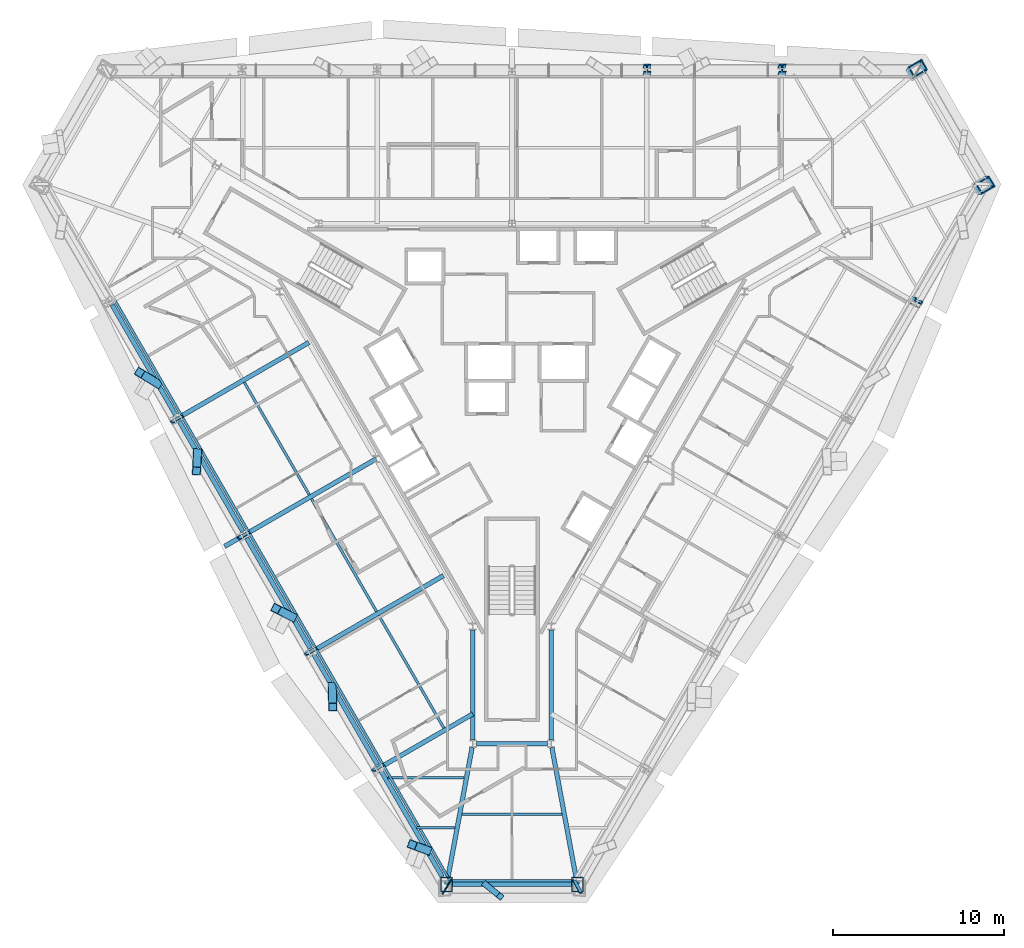
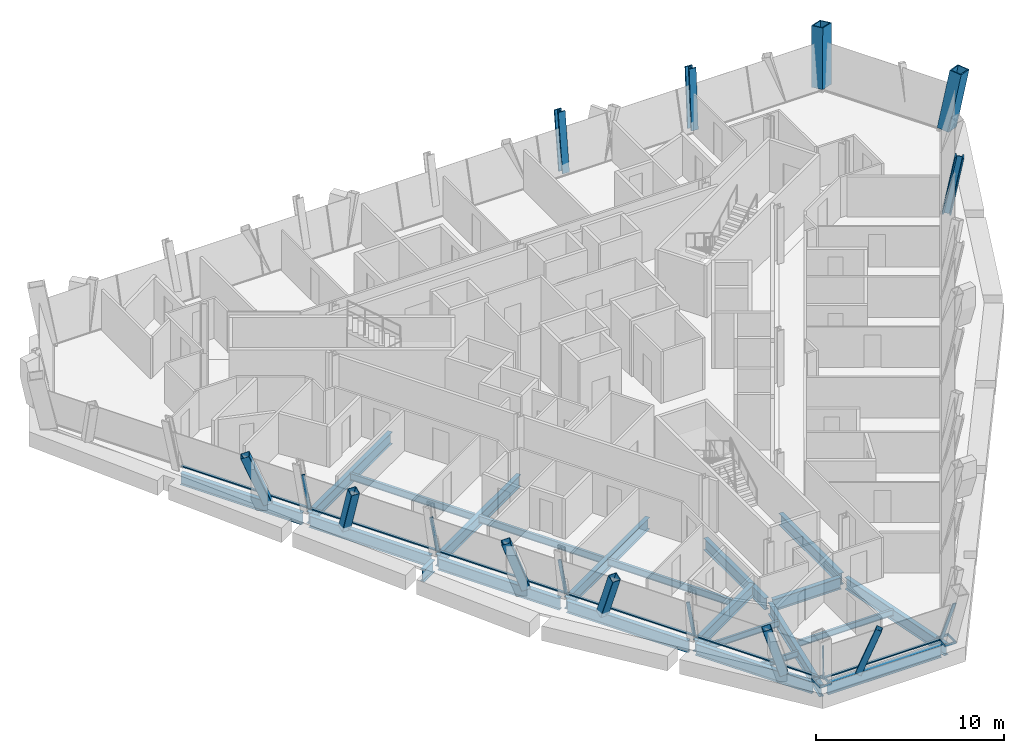
# One storey, part 2 of 13: 22 beams, 20 members, 5 columns, 3 elements without a shape of their own.
"""IFC4 building model written with IfcOpenShell, lengths in metres."""

from ifc_helpers import new_model, si_unit, direction, frame, origin, origin_2d, place, context, subcontext, project, spatial, rectangle, hollow_rectangle, i_section, extrude, material, material_profile, profile_set, type_object, element, aggregate, save


model = new_model("IFC4")

# Units and contexts
model_context = context("Model", 3, precision=1e-05, world=origin(), true_north=direction((0.0, 1.0)))
body_context = subcontext(model_context, "Body", "Model", "MODEL_VIEW")
ifc_project = project(units=[si_unit("LENGTHUNIT", "METRE"), si_unit("AREAUNIT", "SQUARE_METRE"), si_unit("VOLUMEUNIT", "CUBIC_METRE"), si_unit("PLANEANGLEUNIT", "RADIAN"), si_unit("MASSUNIT", "GRAM", prefix="KILO")], contexts=[model_context])

# Site, building, storey
site_placement = place(None, origin())
site = spatial("IfcSite", under=ifc_project, at=site_placement, CompositionType="ELEMENT")
building_placement = place(site_placement, origin())
building = spatial("IfcBuilding", under=site, at=building_placement, Name="Verrane Prism Tower", CompositionType="ELEMENT")
storey_placement = place(building_placement, frame((0.0, 0.0, 100.0)))
storey = spatial("IfcBuildingStorey", under=building, at=storey_placement, Name="L23", CompositionType="ELEMENT", Elevation=100.0)

# Columns
ifc_material_1 = material(Name="Steel A572 Grade 50", Category="steel")
ifc_material_profile_1 = material_profile(ifc_material_1, hollow_rectangle(XDim=0.699951171875, YDim=0.89990234375, WallThickness=0.06494140625, at=origin_2d()), Name="BOX 900x700x65")
ifc_profile_set_1 = profile_set([ifc_material_profile_1], Name="Steel A572 Grade 50")
column_type_1 = type_object("IfcColumnType", Name="Megacolumn BOX 900x700x65", PredefinedType="COLUMN", material=ifc_profile_set_1)
column_1_placement = place(storey_placement, frame((23.66845703125, 18.1044921875, 0.074951171875), z_axis=(0.111145878735, 0.189707375629, 0.975529448696), x_axis=(0.496818547965, -0.860754575623, 0.110783080574)))
element("IfcColumn", 1, at=column_1_placement, inside=storey, type_object=column_type_1, Name="Megacolumn MC-NE.b L23", PredefinedType="COLUMN", context=body_context, shape_type="SweptSolid", body=[
    extrude(hollow_rectangle(XDim=0.699951171875, YDim=0.89990234375, WallThickness=0.06494140625, at=origin_2d()), origin(), (0.0, 0.0, 1.0), 3.536376953125),
])
column_2_placement = place(storey_placement, frame((27.516845703125, 11.449951171875, 0.074951171875), z_axis=(0.21954669437, 0.0, 0.975601993126), x_axis=(0.496862162048, -0.860596286786, -0.111812446063)))
element("IfcColumn", 2, at=column_2_placement, inside=storey, type_object=column_type_1, Name="Megacolumn MC-NE.a L23", PredefinedType="COLUMN", context=body_context, shape_type="SweptSolid", body=[
    extrude(hollow_rectangle(XDim=0.699951171875, YDim=0.89990234375, WallThickness=0.06494140625, at=origin_2d()), origin(), (0.0, 0.0, 1.0), 3.5361328125),
])
ifc_material_2 = material(Name="Steel A992", Category="steel")
ifc_material_profile_2 = material_profile(ifc_material_2, i_section(OverallWidth=0.424072265625, OverallDepth=0.47509765625, WebThickness=0.0478515625, FlangeThickness=0.0771484375, FilletRadius=0.014892578125, at=origin_2d()), Name="W14x426")
ifc_profile_set_2 = profile_set([ifc_material_profile_2], Name="Steel A992")
column_type_2 = type_object("IfcColumnType", Name="Perimeter column W14x426", PredefinedType="COLUMN", material=ifc_profile_set_2)
column_3_placement = place(storey_placement, frame((15.783203125, 18.0986328125, 0.044921875), z_axis=(0.070693557191, 0.19042310781, 0.97915344098), x_axis=(0.997401572089, 0.000160176462, -0.072042198318)))
element("IfcColumn", 3, at=column_3_placement, inside=storey, type_object=column_type_2, Name="Perimeter column PC-N1 L23", PredefinedType="COLUMN", context=body_context, shape_type="SweptSolid", body=[
    extrude(i_section(OverallWidth=0.424072265625, OverallDepth=0.47509765625, WebThickness=0.0478515625, FlangeThickness=0.0771484375, FilletRadius=0.014892578125, at=origin_2d()), origin(), (0.0, 0.0, 1.0), 3.584716796875),
])
column_4_placement = place(storey_placement, frame((7.891357421875, 18.097900390625, 0.0400390625), z_axis=(0.035448987622, 0.190716914211, 0.981004805243), x_axis=(0.999348805, -0.000151262894, -0.036082448156)))
element("IfcColumn", 4, at=column_4_placement, inside=storey, type_object=column_type_2, Name="Perimeter column PC-N2 L23", PredefinedType="COLUMN", context=body_context, shape_type="SweptSolid", body=[
    extrude(i_section(OverallWidth=0.424072265625, OverallDepth=0.47509765625, WebThickness=0.0478515625, FlangeThickness=0.0771484375, FilletRadius=0.014892578125, at=origin_2d()), origin(), (0.0, 0.0, 1.0), 3.588134765625),
])
column_5_placement = place(storey_placement, frame((23.559326171875, 4.618408203125, 0.044921875), z_axis=(0.203832262206, -0.03259955045, 0.978462916106), x_axis=(-0.498534021373, -0.86361257453, 0.075080960618)))
element("IfcColumn", 5, at=column_5_placement, inside=storey, type_object=column_type_2, Name="Perimeter column PC-SE5 L23", PredefinedType="COLUMN", context=body_context, shape_type="SweptSolid", body=[
    extrude(i_section(OverallWidth=0.424072265625, OverallDepth=0.47509765625, WebThickness=0.0478515625, FlangeThickness=0.0771484375, FilletRadius=0.014892578125, at=origin_2d()), origin(), (0.0, 0.0, 1.0), 3.587158203125),
])

# Member
ifc_material_3 = material(Name="Steel A500 Grade C", Category="steel")
ifc_material_profile_3 = material_profile(ifc_material_3, hollow_rectangle(XDim=0.355712890625, YDim=0.355712890625, WallThickness=0.0126953125, InnerFilletRadius=0.00634765625, OuterFilletRadius=0.01904296875, at=origin_2d()), Name="HSS14x14x1/2")
ifc_profile_set_3 = profile_set([ifc_material_profile_3], Name="Steel A500 Grade C")
member_type_1 = type_object("IfcMemberType", Name="Chamfer brace HSS14x14x1/2", PredefinedType="BRACE", material=ifc_profile_set_3)
member_1_placement = place(storey_placement, frame((-1.5556640625, -29.5400390625, -0.2451171875), z_axis=(0.269800098525, -0.218569336669, 0.937782145226), x_axis=(0.6294760962, 0.777019848082, 0.0)))
element("IfcMember", 6, at=member_1_placement, inside=storey, type_object=member_type_1, Name="Chamfer brace S0 L23", PredefinedType="BRACE", context=body_context, shape_type="SweptSolid", body=[
    extrude(hollow_rectangle(XDim=0.355712890625, YDim=0.355712890625, WallThickness=0.0126953125, InnerFilletRadius=0.00634765625, OuterFilletRadius=0.01904296875, at=origin_2d()), origin(), (0.0, 0.0, 1.0), 3.202392578125),
])

# Beams
ifc_material_4 = material(Name="Steel A992", Category="steel")
ifc_material_profile_4 = material_profile(ifc_material_4, i_section(OverallWidth=0.2666015625, OverallDepth=0.76708984375, WebThickness=0.014892578125, FlangeThickness=0.023681640625, FilletRadius=0.0166015625, at=origin_2d()), Name="W30x124")
ifc_profile_set_4 = profile_set([ifc_material_profile_4], Name="Steel A992")
beam_type_1 = type_object("IfcBeamType", Name="Chamfer spandrel beam W30x124", PredefinedType="SPANDREL", material=ifc_profile_set_4)
beam_1_placement = place(storey_placement, frame((-3.47998046875, -29.5400390625, -0.54345703125), z_axis=(1.0, 0.0, 0.0), x_axis=(0.0, 1.0, 0.0)))
element("IfcBeam", 7, at=beam_1_placement, inside=storey, type_object=beam_type_1, Name="Chamfer spandrel beam L23", PredefinedType="SPANDREL", context=body_context, shape_type="SweptSolid", body=[
    extrude(i_section(OverallWidth=0.2666015625, OverallDepth=0.76708984375, WebThickness=0.014892578125, FlangeThickness=0.023681640625, FilletRadius=0.0166015625, at=origin_2d()), origin(), (0.0, 0.0, 1.0), 6.9599609375),
])
ifc_material_5 = material(Name="Steel A992", Category="steel")
ifc_material_profile_5 = material_profile(ifc_material_5, i_section(OverallWidth=0.2666015625, OverallDepth=0.7568359375, WebThickness=0.013916015625, FlangeThickness=0.019287109375, FilletRadius=0.0166015625, at=origin_2d()), Name="W30x108")
ifc_profile_set_5 = profile_set([ifc_material_profile_5], Name="Steel A992")
beam_type_2 = type_object("IfcBeamType", Name="Core ring girder W30x108", PredefinedType="BEAM", material=ifc_profile_set_5)
beam_2_placement = place(storey_placement, frame((-2.300048828125, -14.619384765625, -0.62841796875), z_axis=(0.0, -1.0, 0.0), x_axis=(1.0, 0.0, 0.0)))
element("IfcBeam", 8, at=beam_2_placement, inside=storey, type_object=beam_type_2, Name="Core ring girder L23", PredefinedType="BEAM", context=body_context, shape_type="SweptSolid", body=[
    extrude(i_section(OverallWidth=0.2666015625, OverallDepth=0.7568359375, WebThickness=0.013916015625, FlangeThickness=0.019287109375, FilletRadius=0.0166015625, at=origin_2d()), origin(), (0.0, 0.0, 1.0), 6.46337890625),
])
beam_3_placement = place(storey_placement, frame((-2.09423828125, -21.300048828125, -0.62841796875), z_axis=(1.0, 0.0, 0.0), x_axis=(0.0, 1.0, 0.0)))
element("IfcBeam", 9, at=beam_3_placement, inside=storey, type_object=beam_type_2, Name="Core ring girder L23", PredefinedType="BEAM", context=body_context, shape_type="SweptSolid", body=[
    extrude(i_section(OverallWidth=0.2666015625, OverallDepth=0.7568359375, WebThickness=0.013916015625, FlangeThickness=0.019287109375, FilletRadius=0.0166015625, at=origin_2d()), origin(), (0.0, 0.0, 1.0), 4.1884765625),
])
beam_4_placement = place(storey_placement, frame((2.300048828125, -21.082763671875, -0.62841796875), z_axis=(0.0, 1.0, 0.0), x_axis=(-1.0, 0.0, 0.0)))
element("IfcBeam", 10, at=beam_4_placement, inside=storey, type_object=beam_type_2, Name="Core ring girder L23", PredefinedType="BEAM", context=body_context, shape_type="SweptSolid", body=[
    extrude(i_section(OverallWidth=0.2666015625, OverallDepth=0.7568359375, WebThickness=0.013916015625, FlangeThickness=0.019287109375, FilletRadius=0.0166015625, at=origin_2d()), origin(), (0.0, 0.0, 1.0), 6.46337890625),
])
ifc_material_6 = material(Name="Steel A992", Category="steel")
ifc_material_profile_6 = material_profile(ifc_material_6, i_section(OverallWidth=0.2666015625, OverallDepth=0.76708984375, WebThickness=0.014892578125, FlangeThickness=0.023681640625, FilletRadius=0.0166015625, at=origin_2d()), Name="W30x124")
ifc_profile_set_6 = profile_set([ifc_material_profile_6], Name="Steel A992")
beam_type_3 = type_object("IfcBeamType", Name="Corner girder W30x124", PredefinedType="BEAM", material=ifc_profile_set_6)
for number, where, z_axis, x_axis, name in (
    (11, (-3.82958984375, -29.53759765625, -0.603515625), (0.182560783817, 0.983194568848, 0.0), (-0.983194568848, 0.182560783817, 0.0), "Corner girder L23"),
    (12, (3.82958984375, -29.53759765625, -0.603515625), (-0.182560783817, 0.983194568848, 0.0), (-0.983194568848, -0.182560783817, 0.0), "Corner girder L23"),
):
    element("IfcBeam", number, at=place(storey_placement, frame(where, z_axis=z_axis, x_axis=x_axis)), inside=storey, type_object=beam_type_3, Name=name, PredefinedType="BEAM", context=body_context, shape_type="SweptSolid", body=[
        extrude(i_section(OverallWidth=0.2666015625, OverallDepth=0.76708984375, WebThickness=0.014892578125, FlangeThickness=0.023681640625, FilletRadius=0.0166015625, at=origin_2d()), origin(), (0.0, 0.0, 1.0), 8.15771484375),
    ])

# Members
ifc_material_7 = material(Name="Steel A1085 Grade A", Category="steel")
ifc_material_profile_7 = material_profile(ifc_material_7, hollow_rectangle(XDim=0.508056640625, YDim=0.508056640625, WallThickness=0.025390625, InnerFilletRadius=0.0126953125, OuterFilletRadius=0.0380859375, at=origin_2d()), Name="HSS20x20x1")
ifc_profile_set_7 = profile_set([ifc_material_profile_7], Name="Steel A1085 Grade A")
member_type_2 = type_object("IfcMemberType", Name="Facade brace HSS20x20x1", PredefinedType="BRACE", material=ifc_profile_set_7)
member_2_placement = place(storey_placement, frame((-20.788330078125, -0.167236328125, -0.24267578125), z_axis=(-0.321078922138, 0.196031088996, 0.926542032455), x_axis=(-0.521094217834, -0.853499160011, 0.0)))
element("IfcMember", 13, at=member_2_placement, inside=storey, type_object=member_type_2, Name="Facade brace SW1 L23", PredefinedType="BRACE", context=body_context, shape_type="SweptSolid", body=[
    extrude(hollow_rectangle(XDim=0.508056640625, YDim=0.508056640625, WallThickness=0.025390625, InnerFilletRadius=0.0126953125, OuterFilletRadius=0.0380859375, at=origin_2d()), origin(), (0.0, 0.0, 1.0), 3.246826171875),
])
member_3_placement = place(storey_placement, frame((-18.4404296875, -4.2373046875, -0.24267578125), z_axis=(-0.017674060204, -0.332976233805, 0.942769566393), x_axis=(0.998594277188, -0.053004429694, 0.0)))
element("IfcMember", 14, at=member_3_placement, inside=storey, type_object=member_type_2, Name="Facade brace SW2 L23", PredefinedType="BRACE", context=body_context, shape_type="SweptSolid", body=[
    extrude(hollow_rectangle(XDim=0.508056640625, YDim=0.508056640625, WallThickness=0.025390625, InnerFilletRadius=0.0126953125, OuterFilletRadius=0.0380859375, at=origin_2d()), origin(), (0.0, 0.0, 1.0), 3.19091796875),
])
member_4_placement = place(storey_placement, frame((-12.892333984375, -13.849853515625, -0.24267578125), z_axis=(-0.296683457736, 0.151211377995, 0.942928441119), x_axis=(-0.454094457087, -0.890953547635, 0.0)))
element("IfcMember", 15, at=member_4_placement, inside=storey, type_object=member_type_2, Name="Facade brace SW3 L23", PredefinedType="BRACE", context=body_context, shape_type="SweptSolid", body=[
    extrude(hollow_rectangle(XDim=0.508056640625, YDim=0.508056640625, WallThickness=0.025390625, InnerFilletRadius=0.0126953125, OuterFilletRadius=0.0380859375, at=origin_2d()), origin(), (0.0, 0.0, 1.0), 3.1904296875),
])
member_5_placement = place(storey_placement, frame((-10.54150390625, -17.9228515625, -0.24267578125), z_axis=(0.010380610033, -0.375206397415, 0.926883165385), x_axis=(0.999617504739, 0.027655817092, 0.0)))
element("IfcMember", 16, at=member_5_placement, inside=storey, type_object=member_type_2, Name="Facade brace SW4 L23", PredefinedType="BRACE", context=body_context, shape_type="SweptSolid", body=[
    extrude(hollow_rectangle(XDim=0.508056640625, YDim=0.508056640625, WallThickness=0.025390625, InnerFilletRadius=0.0126953125, OuterFilletRadius=0.0380859375, at=origin_2d()), origin(), (0.0, 0.0, 1.0), 3.24560546875),
])
member_6_placement = place(storey_placement, frame((-4.9931640625, -27.52880859375, -0.24267578125), z_axis=(-0.272558754511, 0.100947686856, 0.956828767261), x_axis=(-0.347314355824, -0.937748760724, 0.0)))
element("IfcMember", 17, at=member_6_placement, inside=storey, type_object=member_type_2, Name="Facade brace SW5 L23", PredefinedType="BRACE", context=body_context, shape_type="SweptSolid", body=[
    extrude(hollow_rectangle(XDim=0.508056640625, YDim=0.508056640625, WallThickness=0.025390625, InnerFilletRadius=0.0126953125, OuterFilletRadius=0.0380859375, at=origin_2d()), origin(), (0.0, 0.0, 1.0), 3.14404296875),
])

# Beams
ifc_material_8 = material(Name="Steel A992", Category="steel")
ifc_material_profile_8 = material_profile(ifc_material_8, i_section(OverallWidth=0.140380859375, OverallDepth=0.40380859375, WebThickness=0.007080078125, FlangeThickness=0.01123046875, FilletRadius=0.01025390625, at=origin_2d()), Name="W16x31")
ifc_profile_set_8 = profile_set([ifc_material_profile_8], Name="Steel A992")
beam_type_4 = type_object("IfcBeamType", Name="Floor beam W16x31", PredefinedType="BEAM", material=ifc_profile_set_8)
beam_5_placement = place(storey_placement, frame((-5.6015625, -26.2099609375, -0.36181640625), z_axis=(1.0, 0.0, 0.0), x_axis=(0.0, 1.0, 0.0)))
element("IfcBeam", 18, at=beam_5_placement, inside=storey, type_object=beam_type_4, Name="Floor beam L23", PredefinedType="BEAM", context=body_context, shape_type="SweptSolid", body=[
    extrude(i_section(OverallWidth=0.140380859375, OverallDepth=0.40380859375, WebThickness=0.007080078125, FlangeThickness=0.01123046875, FilletRadius=0.01025390625, at=origin_2d()), origin(), (0.0, 0.0, 1.0), 2.254150390625),
])
beam_6_placement = place(storey_placement, frame((-7.296142578125, -23.280029296875, -0.36181640625), z_axis=(1.0, 0.0, 0.0), x_axis=(0.0, 1.0, 0.0)))
element("IfcBeam", 19, at=beam_6_placement, inside=storey, type_object=beam_type_4, Name="Floor beam L23", PredefinedType="BEAM", context=body_context, shape_type="SweptSolid", body=[
    extrude(i_section(OverallWidth=0.140380859375, OverallDepth=0.40380859375, WebThickness=0.007080078125, FlangeThickness=0.01123046875, FilletRadius=0.01025390625, at=origin_2d()), origin(), (0.0, 0.0, 1.0), 4.49267578125),
])
beam_7_placement = place(storey_placement, frame((-2.92919921875, -25.419921875, -0.36181640625), z_axis=(1.0, 0.0, 0.0), x_axis=(0.0, 1.0, 0.0)))
element("IfcBeam", 20, at=beam_7_placement, inside=storey, type_object=beam_type_4, Name="Floor beam L23", PredefinedType="BEAM", context=body_context, shape_type="SweptSolid", body=[
    extrude(i_section(OverallWidth=0.140380859375, OverallDepth=0.40380859375, WebThickness=0.007080078125, FlangeThickness=0.01123046875, FilletRadius=0.01025390625, at=origin_2d()), origin(), (0.0, 0.0, 1.0), 5.8583984375),
])
ifc_material_9 = material(Name="Steel A992", Category="steel")
ifc_material_profile_9 = material_profile(ifc_material_9, i_section(OverallWidth=0.15234375, OverallDepth=0.449462890625, WebThickness=0.007568359375, FlangeThickness=0.0107421875, FilletRadius=0.01025390625, at=origin_2d()), Name="W18x35")
ifc_profile_set_9 = profile_set([ifc_material_profile_9], Name="Steel A992")
beam_type_5 = type_object("IfcBeamType", Name="Floor beam W18x35", PredefinedType="BEAM", material=ifc_profile_set_9)
beam_8_placement = place(storey_placement, frame((-11.88330078125, -6.702392578125, -0.384765625), z_axis=(-0.500014495457, 0.866017034666, 0.0), x_axis=(-0.866017034666, -0.500014495457, 0.0)))
element("IfcBeam", 21, at=beam_8_placement, inside=storey, type_object=beam_type_5, Name="Floor beam L23", PredefinedType="BEAM", context=body_context, shape_type="SweptSolid", body=[
    extrude(i_section(OverallWidth=0.15234375, OverallDepth=0.449462890625, WebThickness=0.007568359375, FlangeThickness=0.0107421875, FilletRadius=0.01025390625, at=origin_2d()), origin(), (0.0, 0.0, 1.0), 7.622314453125),
])
beam_9_placement = place(storey_placement, frame((-7.93701171875, -13.544677734375, -0.384765625), z_axis=(-0.499999364504, 0.866025770688, 0.0), x_axis=(-0.866025770688, -0.499999364504, 0.0)))
element("IfcBeam", 22, at=beam_9_placement, inside=storey, type_object=beam_type_5, Name="Floor beam L23", PredefinedType="BEAM", context=body_context, shape_type="SweptSolid", body=[
    extrude(i_section(OverallWidth=0.15234375, OverallDepth=0.449462890625, WebThickness=0.007568359375, FlangeThickness=0.0107421875, FilletRadius=0.01025390625, at=origin_2d()), origin(), (0.0, 0.0, 1.0), 7.6318359375),
])
beam_10_placement = place(storey_placement, frame((-3.99560546875, -20.37353515625, -0.384765625), z_axis=(-0.499996178778, 0.866027609957, 0.0), x_axis=(-0.866027609957, -0.499996178778, 0.0)))
element("IfcBeam", 23, at=beam_10_placement, inside=storey, type_object=beam_type_5, Name="Floor beam L23", PredefinedType="BEAM", context=body_context, shape_type="SweptSolid", body=[
    extrude(i_section(OverallWidth=0.15234375, OverallDepth=0.449462890625, WebThickness=0.007568359375, FlangeThickness=0.0107421875, FilletRadius=0.01025390625, at=origin_2d()), origin(), (0.0, 0.0, 1.0), 7.61767578125),
])

# Members
ifc_material_10 = material(Name="Steel A572 Grade 50", Category="steel")
ifc_material_profile_10 = material_profile(ifc_material_10, hollow_rectangle(XDim=0.699951171875, YDim=0.89990234375, WallThickness=0.06494140625, at=origin_2d()), Name="BOX 900x700x65")
ifc_profile_set_10 = profile_set([ifc_material_profile_10], Name="Steel A572 Grade 50")
member_type_3 = type_object("IfcMemberType", Name="Kink node BOX 900x700x65", PredefinedType="COLLAR", material=ifc_profile_set_10)
for number, where, z_axis, x_axis, name in (
    (24, (-3.834228515625, -29.54736328125, -0.074951171875), (0.0, 0.0, 1.0), (-1.0, 0.0, 0.0), "Kink node MC3 L23"),
    (25, (3.834228515625, -29.54736328125, -0.074951171875), (0.0, 0.0, 1.0), (-1.0, 0.0, 0.0), "Kink node MC3 L23"),
):
    element("IfcMember", number, at=place(storey_placement, frame(where, z_axis=z_axis, x_axis=x_axis)), inside=storey, type_object=member_type_3, Name=name, PredefinedType="COLLAR", context=body_context, shape_type="SweptSolid", body=[
        extrude(hollow_rectangle(XDim=0.699951171875, YDim=0.89990234375, WallThickness=0.06494140625, at=origin_2d()), origin(), (0.0, 0.0, 1.0), 0.14990234375),
    ])

# Curtain wall, members
ifc_material_11 = material(Name="Aluminium framed insulated glazing", Category="aluminium")
curtain_wall_type = type_object("IfcCurtainWallType", Name="Curtain wall CW-A 8400 module", PredefinedType="NOTDEFINED", material=ifc_material_11)
curtain_wall_1_placement = place(storey_placement, origin())
curtain_wall_1 = element("IfcCurtainWall", 26, at=curtain_wall_1_placement, inside=storey, type_object=curtain_wall_type, Name="Glazed curtain wall south-west face L23", PredefinedType="NOTDEFINED")
ifc_material_12 = material(Name="Aluminium alloy 6063-T6", Category="aluminium")
ifc_material_profile_11 = material_profile(ifc_material_12, rectangle(XDim=0.199951171875, YDim=0.070068359375, at=origin_2d()), Name="Mullion 70x200 aluminium")
ifc_profile_set_11 = profile_set([ifc_material_profile_11], Name="Aluminium alloy 6063-T6")
member_type_4 = type_object("IfcMemberType", Name="Mullion 70x200 aluminium", PredefinedType="MULLION", material=ifc_profile_set_11)
member_7_placement = place(storey_placement, frame((-19.3564453125, -2.095703125, 0.0), z_axis=(-0.224108381383, -0.129428682603, 0.965931493178), x_axis=(0.85134056199, -0.508404548694, 0.12939884999)))
member_7 = element("IfcMember", 27, at=member_7_placement, type_object=member_type_4, Name="CW21.4 mullion 3", PredefinedType="MULLION", context=body_context, shape_type="SweptSolid", body=[
    extrude(rectangle(XDim=0.199951171875, YDim=0.070068359375, at=origin_2d()), origin(), (0.0, 0.0, 1.0), 2.704833984375),
])
member_8_placement = place(storey_placement, frame((-15.4248046875, -8.905517578125, 0.0), z_axis=(-0.224108381383, -0.129428682603, 0.965931493178), x_axis=(0.85134056199, -0.508404548694, 0.12939884999)))
member_8 = element("IfcMember", 28, at=member_8_placement, type_object=member_type_4, Name="CW21.4 mullion 4", PredefinedType="MULLION", context=body_context, shape_type="SweptSolid", body=[
    extrude(rectangle(XDim=0.199951171875, YDim=0.070068359375, at=origin_2d()), origin(), (0.0, 0.0, 1.0), 2.704833984375),
])
member_9_placement = place(storey_placement, frame((-11.4931640625, -15.71533203125, 0.0), z_axis=(-0.224110998518, -0.129339935915, 0.965942773316), x_axis=(0.851191839207, -0.508658862531, 0.129377797304)))
member_9 = element("IfcMember", 29, at=member_9_placement, type_object=member_type_4, Name="CW21.4 mullion 5", PredefinedType="MULLION", context=body_context, shape_type="SweptSolid", body=[
    extrude(rectangle(XDim=0.199951171875, YDim=0.070068359375, at=origin_2d()), origin(), (0.0, 0.0, 1.0), 2.704833984375),
])
member_10_placement = place(storey_placement, frame((-7.5615234375, -22.525146484375, 0.0), z_axis=(-0.224110998518, -0.129339935915, 0.965942773316), x_axis=(0.851191839207, -0.508658862531, 0.129377797304)))
member_10 = element("IfcMember", 30, at=member_10_placement, type_object=member_type_4, Name="CW21.4 mullion 6", PredefinedType="MULLION", context=body_context, shape_type="SweptSolid", body=[
    extrude(rectangle(XDim=0.199951171875, YDim=0.070068359375, at=origin_2d()), origin(), (0.0, 0.0, 1.0), 2.704833984375),
])

# Curtain wall, member
curtain_wall_2_placement = place(storey_placement, origin())
curtain_wall_2 = element("IfcCurtainWall", 31, at=curtain_wall_2_placement, inside=storey, type_object=curtain_wall_type, Name="Glazed curtain wall south corner L23", PredefinedType="NOTDEFINED")
member_11_placement = place(storey_placement, frame((-3.594970703125, -29.334716796875, 0.0), z_axis=(-0.160184271614, -0.255510840371, 0.953443868081), x_axis=(0.506437769687, 0.807821759434, 0.301570539708)))
member_11 = element("IfcMember", 32, at=member_11_placement, type_object=member_type_4, Name="CW21.5 mullion 1", PredefinedType="MULLION", context=body_context, shape_type="SweptSolid", body=[
    extrude(rectangle(XDim=0.199951171875, YDim=0.070068359375, at=origin_2d()), origin(), (0.0, 0.0, 1.0), 2.740478515625),
])

curtain_wall_3_placement = place(storey_placement, origin())
curtain_wall_3 = element("IfcCurtainWall", 33, at=curtain_wall_3_placement, inside=storey, type_object=curtain_wall_type, Name="Glazed curtain wall south-east face L23", PredefinedType="NOTDEFINED")
member_12_placement = place(storey_placement, frame((3.6474609375, -29.304443359375, 0.0), z_axis=(0.141030021524, -0.266558322425, 0.953444908621), x_axis=(-0.988431151607, 0.016376545776, 0.150783511302)))
member_12 = element("IfcMember", 34, at=member_12_placement, type_object=member_type_4, Name="CW21.6 mullion 1", PredefinedType="MULLION", context=body_context, shape_type="SweptSolid", body=[
    extrude(rectangle(XDim=0.199951171875, YDim=0.070068359375, at=origin_2d()), origin(), (0.0, 0.0, 1.0), 2.740478515625),
])
aggregate(curtain_wall_3, [member_12])

# Beams
ifc_material_13 = material(Name="Steel A992", Category="steel")
ifc_material_profile_12 = material_profile(ifc_material_13, i_section(OverallWidth=0.2666015625, OverallDepth=0.76708984375, WebThickness=0.014892578125, FlangeThickness=0.023681640625, FilletRadius=0.0166015625, at=origin_2d()), Name="W30x124")
ifc_profile_set_12 = profile_set([ifc_material_profile_12], Name="Steel A992")
beam_type_6 = type_object("IfcBeamType", Name="Radial girder W30x124", PredefinedType="BEAM", material=ifc_profile_set_12)
beam_11_placement = place(storey_placement, frame((-19.404296875, -2.09130859375, -0.603515625), z_axis=(0.866024441312, 0.500001667048, 0.0), x_axis=(-0.500001667048, 0.866024441312, 0.0)))
element("IfcBeam", 35, at=beam_11_placement, inside=storey, type_object=beam_type_6, Name="Radial girder L23", PredefinedType="BEAM", context=body_context, shape_type="SweptSolid", body=[
    extrude(i_section(OverallWidth=0.2666015625, OverallDepth=0.76708984375, WebThickness=0.014892578125, FlangeThickness=0.023681640625, FilletRadius=0.0166015625, at=origin_2d()), origin(), (0.0, 0.0, 1.0), 8.65380859375),
])
beam_12_placement = place(storey_placement, frame((-15.46435546875, -8.92138671875, -0.603515625), z_axis=(0.866014988611, 0.500018039176, 0.0), x_axis=(-0.500018039176, 0.866014988611, 0.0)))
element("IfcBeam", 36, at=beam_12_placement, inside=storey, type_object=beam_type_6, Name="Radial girder L23", PredefinedType="BEAM", context=body_context, shape_type="SweptSolid", body=[
    extrude(i_section(OverallWidth=0.2666015625, OverallDepth=0.76708984375, WebThickness=0.014892578125, FlangeThickness=0.023681640625, FilletRadius=0.0166015625, at=origin_2d()), origin(), (0.0, 0.0, 1.0), 8.651123046875),
])
beam_13_placement = place(storey_placement, frame((-11.514404296875, -15.76123046875, -0.603515625), z_axis=(0.866025318361, 0.500000147958, 0.0), x_axis=(-0.500000147958, 0.866025318361, 0.0)))
element("IfcBeam", 37, at=beam_13_placement, inside=storey, type_object=beam_type_6, Name="Radial girder L23", PredefinedType="BEAM", context=body_context, shape_type="SweptSolid", body=[
    extrude(i_section(OverallWidth=0.2666015625, OverallDepth=0.76708984375, WebThickness=0.014892578125, FlangeThickness=0.023681640625, FilletRadius=0.0166015625, at=origin_2d()), origin(), (0.0, 0.0, 1.0), 8.650390625),
])
beam_14_placement = place(storey_placement, frame((-7.57421875, -22.59130859375, -0.603515625), z_axis=(0.866016687335, 0.50001509703, 0.0), x_axis=(-0.50001509703, 0.866016687335, 0.0)))
element("IfcBeam", 38, at=beam_14_placement, inside=storey, type_object=beam_type_6, Name="Radial girder L23", PredefinedType="BEAM", context=body_context, shape_type="SweptSolid", body=[
    extrude(i_section(OverallWidth=0.2666015625, OverallDepth=0.76708984375, WebThickness=0.014892578125, FlangeThickness=0.023681640625, FilletRadius=0.0166015625, at=origin_2d()), origin(), (0.0, 0.0, 1.0), 6.090087890625),
])
beam_15_placement = place(storey_placement, frame((-15.872314453125, -9.15673828125, -0.603515625), z_axis=(-0.865954713328, -0.500122419478, 0.0), x_axis=(0.500122419478, -0.865954713328, 0.0)))
element("IfcBeam", 39, at=beam_15_placement, inside=storey, type_object=beam_type_6, Name="Cantilever girder L23", PredefinedType="BEAM", context=body_context, shape_type="SweptSolid", body=[
    extrude(i_section(OverallWidth=0.2666015625, OverallDepth=0.76708984375, WebThickness=0.014892578125, FlangeThickness=0.023681640625, FilletRadius=0.0166015625, at=origin_2d()), origin(), (0.0, 0.0, 1.0), 1.127197265625),
])
ifc_material_14 = material(Name="Steel A992", Category="steel")
ifc_material_profile_13 = material_profile(ifc_material_14, i_section(OverallWidth=0.2666015625, OverallDepth=0.7568359375, WebThickness=0.013916015625, FlangeThickness=0.019287109375, FilletRadius=0.0166015625, at=origin_2d()), Name="W30x108")
ifc_profile_set_13 = profile_set([ifc_material_profile_13], Name="Steel A992")
beam_type_7 = type_object("IfcBeamType", Name="Spandrel beam W30x108", PredefinedType="SPANDREL", material=ifc_profile_set_13)
beam_16_placement = place(storey_placement, frame((-23.444091796875, 4.436279296875, -0.53857421875), z_axis=(0.499679960224, -0.866210100005, 0.0), x_axis=(0.866210100005, 0.499679960224, 0.0)))
element("IfcBeam", 40, at=beam_16_placement, inside=storey, type_object=beam_type_7, Name="Spandrel beam L23", PredefinedType="SPANDREL", context=body_context, shape_type="SweptSolid", body=[
    extrude(i_section(OverallWidth=0.2666015625, OverallDepth=0.7568359375, WebThickness=0.013916015625, FlangeThickness=0.019287109375, FilletRadius=0.0166015625, at=origin_2d()), origin(), (0.0, 0.0, 1.0), 7.4609375),
])
beam_17_placement = place(storey_placement, frame((-19.50390625, -2.393798828125, -0.53857421875), z_axis=(0.499694123976, -0.866201929381, 0.0), x_axis=(0.866201929381, 0.499694123976, 0.0)))
element("IfcBeam", 41, at=beam_17_placement, inside=storey, type_object=beam_type_7, Name="Spandrel beam L23", PredefinedType="SPANDREL", context=body_context, shape_type="SweptSolid", body=[
    extrude(i_section(OverallWidth=0.2666015625, OverallDepth=0.7568359375, WebThickness=0.013916015625, FlangeThickness=0.019287109375, FilletRadius=0.0166015625, at=origin_2d()), origin(), (0.0, 0.0, 1.0), 7.460693359375),
])
beam_18_placement = place(storey_placement, frame((-15.56396484375, -9.2236328125, -0.53857421875), z_axis=(0.500080587159, -0.865978871767, 0.0), x_axis=(0.865978871767, 0.500080587159, 0.0)))
element("IfcBeam", 42, at=beam_18_placement, inside=storey, type_object=beam_type_7, Name="Spandrel beam L23", PredefinedType="SPANDREL", context=body_context, shape_type="SweptSolid", body=[
    extrude(i_section(OverallWidth=0.2666015625, OverallDepth=0.7568359375, WebThickness=0.013916015625, FlangeThickness=0.019287109375, FilletRadius=0.0166015625, at=origin_2d()), origin(), (0.0, 0.0, 1.0), 7.474365234375),
])
beam_19_placement = place(storey_placement, frame((-11.614013671875, -16.063720703125, -0.53857421875), z_axis=(0.499679960224, -0.866210100005, 0.0), x_axis=(0.866210100005, 0.499679960224, 0.0)))
element("IfcBeam", 43, at=beam_19_placement, inside=storey, type_object=beam_type_7, Name="Spandrel beam L23", PredefinedType="SPANDREL", context=body_context, shape_type="SweptSolid", body=[
    extrude(i_section(OverallWidth=0.2666015625, OverallDepth=0.7568359375, WebThickness=0.013916015625, FlangeThickness=0.019287109375, FilletRadius=0.0166015625, at=origin_2d()), origin(), (0.0, 0.0, 1.0), 7.4609375),
])
beam_20_placement = place(storey_placement, frame((-7.673828125, -22.8935546875, -0.53857421875), z_axis=(0.50064633236, -0.865651921903, 0.0), x_axis=(0.865651921903, 0.50064633236, 0.0)))
element("IfcBeam", 44, at=beam_20_placement, inside=storey, type_object=beam_type_7, Name="Spandrel beam L23", PredefinedType="SPANDREL", context=body_context, shape_type="SweptSolid", body=[
    extrude(i_section(OverallWidth=0.2666015625, OverallDepth=0.7568359375, WebThickness=0.013916015625, FlangeThickness=0.019287109375, FilletRadius=0.0166015625, at=origin_2d()), origin(), (0.0, 0.0, 1.0), 7.158203125),
])

# Member
ifc_material_15 = material(Name="Aluminium alloy 6063-T6", Category="aluminium")
ifc_material_profile_14 = material_profile(ifc_material_15, rectangle(XDim=0.14990234375, YDim=0.070068359375, at=origin_2d()), Name="Transom 70x150 aluminium")
ifc_profile_set_14 = profile_set([ifc_material_profile_14], Name="Aluminium alloy 6063-T6")
member_type_5 = type_object("IfcMemberType", Name="Transom 70x150 aluminium", PredefinedType="USERDEFINED", material=ifc_profile_set_14)
member_13_placement = place(storey_placement, frame((-23.2705078125, 4.683837890625, 0.034912109375), z_axis=(0.500003566721, -0.866023344527, 0.0), x_axis=(0.866023344527, 0.500003566721, 0.0)))
member_13 = element("IfcMember", 45, at=member_13_placement, type_object=member_type_5, Name="CW21.4 transom 2", ObjectType="TRANSOM", PredefinedType="USERDEFINED", context=body_context, shape_type="SweptSolid", body=[
    extrude(rectangle(XDim=0.14990234375, YDim=0.070068359375, at=origin_2d()), origin(), (0.0, 0.0, 1.0), 7.79345703125),
])

member_14_placement = place(storey_placement, frame((-19.3388671875, -2.1259765625, 0.034912109375), z_axis=(0.500003566721, -0.866023344527, 0.0), x_axis=(0.866023344527, 0.500003566721, 0.0)))
member_14 = element("IfcMember", 46, at=member_14_placement, type_object=member_type_5, Name="CW21.4 transom 3", ObjectType="TRANSOM", PredefinedType="USERDEFINED", context=body_context, shape_type="SweptSolid", body=[
    extrude(rectangle(XDim=0.14990234375, YDim=0.070068359375, at=origin_2d()), origin(), (0.0, 0.0, 1.0), 7.79345703125),
])

member_15_placement = place(storey_placement, frame((-15.4072265625, -8.935791015625, 0.034912109375), z_axis=(0.499980071345, -0.866036909293, 0.0), x_axis=(0.866036909293, 0.499980071345, 0.0)))
member_15 = element("IfcMember", 47, at=member_15_placement, type_object=member_type_5, Name="CW21.4 transom 4", ObjectType="TRANSOM", PredefinedType="USERDEFINED", context=body_context, shape_type="SweptSolid", body=[
    extrude(rectangle(XDim=0.14990234375, YDim=0.070068359375, at=origin_2d()), origin(), (0.0, 0.0, 1.0), 7.793212890625),
])

member_16_placement = place(storey_placement, frame((-11.4755859375, -15.74560546875, 0.034912109375), z_axis=(0.499993636311, -0.866029077831, 0.0), x_axis=(0.866029077831, 0.499993636311, 0.0)))
member_16 = element("IfcMember", 48, at=member_16_placement, type_object=member_type_5, Name="CW21.4 transom 5", ObjectType="TRANSOM", PredefinedType="USERDEFINED", context=body_context, shape_type="SweptSolid", body=[
    extrude(rectangle(XDim=0.14990234375, YDim=0.070068359375, at=origin_2d()), origin(), (0.0, 0.0, 1.0), 7.79296875),
])

member_17_placement = place(storey_placement, frame((-7.5439453125, -22.555419921875, 0.034912109375), z_axis=(0.500003221507, -0.866023543838, 0.0), x_axis=(0.866023543838, 0.500003221507, 0.0)))
member_17 = element("IfcMember", 49, at=member_17_placement, type_object=member_type_5, Name="CW21.4 transom 6", ObjectType="TRANSOM", PredefinedType="USERDEFINED", context=body_context, shape_type="SweptSolid", body=[
    extrude(rectangle(XDim=0.14990234375, YDim=0.070068359375, at=origin_2d()), origin(), (0.0, 0.0, 1.0), 7.828125),
])

aggregate(curtain_wall_1, [member_7, member_8, member_9, member_10, member_13, member_14, member_15, member_16, member_17])

member_18_placement = place(storey_placement, frame((-3.559814453125, -29.334716796875, 0.034912109375), z_axis=(1.0, 0.0, 0.0), x_axis=(0.0, 1.0, 0.0)))
member_18 = element("IfcMember", 50, at=member_18_placement, type_object=member_type_5, Name="CW21.5 transom 1", ObjectType="TRANSOM", PredefinedType="USERDEFINED", context=body_context, shape_type="SweptSolid", body=[
    extrude(rectangle(XDim=0.14990234375, YDim=0.070068359375, at=origin_2d()), origin(), (0.0, 0.0, 1.0), 7.189697265625),
])

aggregate(curtain_wall_2, [member_11, member_18])

save(model, "model.ifc")
